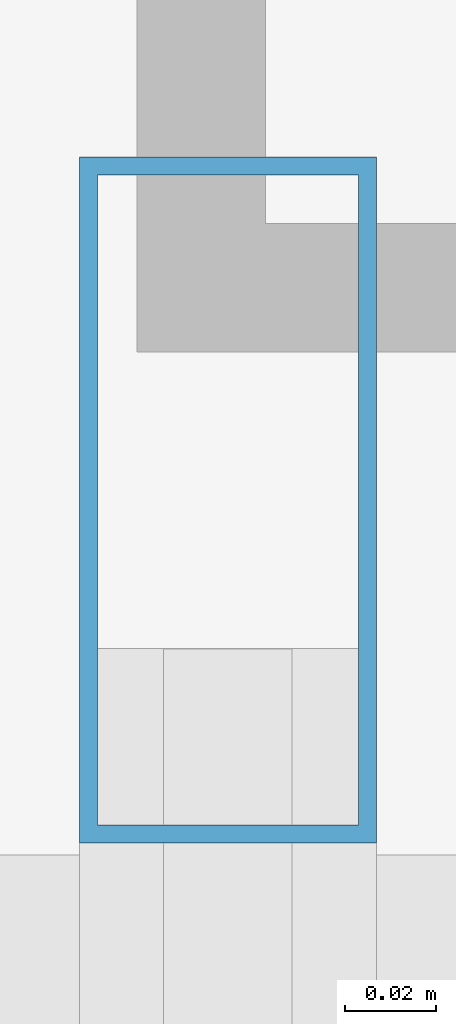
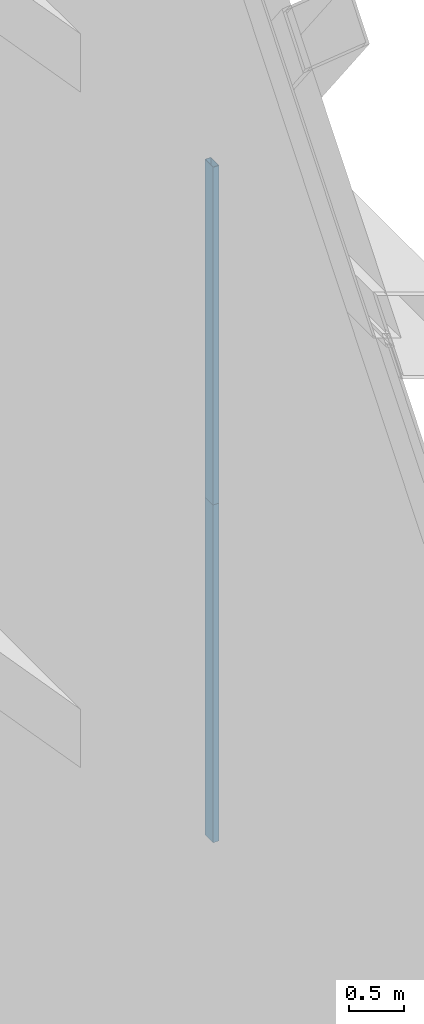
# One storey, part 21 of 28: 2 members, 2 elements without a shape of their own.
"""IFC4 building model written with IfcOpenShell, lengths in metres."""

import ifcopenshell
import ifcopenshell.guid

model = None  # the IFC model being written
_history = None  # IfcOwnerHistory: only IFC2X3 demands one
_inside = {}  # id of a spatial element -> (the spatial element, [elements in it])
_under = {}  # id of a project, library or spatial element -> (it, [spatial elements below it])
_declared = {}  # id of a project -> (the project, [libraries it declares])
_typed = {}  # id of a type object -> (the type object, [elements of that type])
_made_of = {}  # id of a material, layer set ... -> (it, [elements and type objects made of it])


def new_model(schema):
    """Start an empty IFC model of exactly this schema.

    Asked for "IFC4X3", IfcOpenShell would pick the latest addendum, in which some entities
    have other attributes; the version numbers below select the first issue.
    IFC2X3 requires an IfcOwnerHistory on every rooted entity: one is made here for all.
    """
    global model, _history
    if schema == "IFC4X3":
        model = ifcopenshell.file(schema_version=(4, 3, 0, 0))
    else:
        model = ifcopenshell.file(schema=schema)
    _inside.clear()
    _under.clear()
    _declared.clear()
    _typed.clear()
    _made_of.clear()
    _history = None
    if model.schema == "IFC2X3":
        org = make("IfcOrganization", Name="unknown")
        user = make(
            "IfcPersonAndOrganization",
            ThePerson=make("IfcPerson", FamilyName="unknown"),
            TheOrganization=org,
        )
        app = make(
            "IfcApplication",
            ApplicationDeveloper=org,
            Version="unknown",
            ApplicationFullName="unknown",
            ApplicationIdentifier="unknown",
        )
        _history = make(
            "IfcOwnerHistory",
            OwningUser=user,
            OwningApplication=app,
            ChangeAction="ADDED",
            CreationDate=0,
        )
    return model


def make(cls, **values):
    """One entity of the class cls with the attributes given. An attribute that is None is left unset."""
    return model.create_entity(
        cls, **{name: value for name, value in values.items() if value is not None}
    )


def rooted(cls, **values):
    """An entity with a GlobalId (a new one), such as an element, a storey or a relation."""
    return make(cls, GlobalId=ifcopenshell.guid.new(), OwnerHistory=_history, **values)


def si_unit(unit_type, name, prefix=None):
    """IfcSIUnit, for example si_unit("LENGTHUNIT", "METRE", prefix="MILLI")."""
    return make("IfcSIUnit", UnitType=unit_type, Prefix=prefix, Name=name)


def assignment(units):
    """IfcUnitAssignment: the units of a project."""
    return None if units is None else make("IfcUnitAssignment", Units=units)


def point(xyz):
    """IfcCartesianPoint."""
    return None if xyz is None else make("IfcCartesianPoint", Coordinates=xyz)


def direction(xyz):
    """IfcDirection."""
    return None if xyz is None else make("IfcDirection", DirectionRatios=xyz)


def frame(location, z_axis=None, x_axis=None):
    """IfcAxis2Placement3D, a coordinate frame: its origin and axes. An axis left out is left unset."""
    return make(
        "IfcAxis2Placement3D",
        Location=point(location),
        Axis=direction(z_axis),
        RefDirection=direction(x_axis),
    )


def frame_2d(location, x_axis=None):
    """IfcAxis2Placement2D, a coordinate frame in the plane: its origin and x axis."""
    return make(
        "IfcAxis2Placement2D", Location=point(location), RefDirection=direction(x_axis)
    )


def origin():
    """The frame at (0, 0, 0) with its axes left unset."""
    return frame((0.0, 0.0, 0.0))


def origin_2d():
    """The frame at (0, 0) in the plane with its x axis left unset."""
    return frame_2d((0.0, 0.0))


def place(relative_to, where):
    """IfcLocalPlacement: puts the frame where relative to a parent placement (None: the world)."""
    return make(
        "IfcLocalPlacement", PlacementRelTo=relative_to, RelativePlacement=where
    )


def context(
    kind, dimensions, precision=None, world=None, true_north=None, identifier=None
):
    """IfcGeometricRepresentationContext, for example the 3D "Model" context."""
    return make(
        "IfcGeometricRepresentationContext",
        ContextIdentifier=identifier,
        ContextType=kind,
        CoordinateSpaceDimension=dimensions,
        Precision=precision,
        WorldCoordinateSystem=world,
        TrueNorth=true_north,
    )


def subcontext(parent, identifier, kind, view, scale=None):
    """IfcGeometricRepresentationSubContext, for example "Body" below "Model"."""
    return make(
        "IfcGeometricRepresentationSubContext",
        ContextIdentifier=identifier,
        ContextType=kind,
        ParentContext=parent,
        TargetScale=scale,
        TargetView=view,
    )


def project(units=None, contexts=None):
    """IfcProject with its units and contexts."""
    return rooted(
        "IfcProject",
        Name="project",
        RepresentationContexts=contexts,
        UnitsInContext=assignment(units),
    )


def spatial(cls, under=None, at=None, **own):
    """A site, building, storey or space (cls), placed at a placement, below another one or the project."""
    s = rooted(cls, ObjectPlacement=at, **own)
    if under is not None:
        _under.setdefault(under.id(), (under, []))[1].append(s)
    return s


def profile(cls, at=None, kind="AREA", **sizes):
    """A parametric profile (cls). Its sizes go by their IFC names, for example OverallWidth=200.0."""
    return make(cls, ProfileType=kind, Position=at, **sizes)


def hollow_rectangle(**sizes):
    """IfcRectangleHollowProfileDef."""
    return profile("IfcRectangleHollowProfileDef", **sizes)


def extrude(swept, where, along, depth):
    """IfcExtrudedAreaSolid: the profile swept, set in the frame where, extruded along a direction by depth."""
    return make(
        "IfcExtrudedAreaSolid",
        SweptArea=swept,
        Position=where,
        ExtrudedDirection=direction(along),
        Depth=depth,
    )


def shape(context_of_items, identifier, shape_type, items):
    """IfcShapeRepresentation: the items that make up one representation, for example the "Body"."""
    return make(
        "IfcShapeRepresentation",
        ContextOfItems=context_of_items,
        RepresentationIdentifier=identifier,
        RepresentationType=shape_type,
        Items=items,
    )


def material(Name=None, Category=None):
    """IfcMaterial."""
    return make("IfcMaterial", Name=Name, Category=Category)


def material_profile(
    of_material, cross_section, Name=None, Category=None, Priority=None
):
    """IfcMaterialProfile: a cross section and its material."""
    return make(
        "IfcMaterialProfile",
        Name=Name,
        Material=of_material,
        Profile=cross_section,
        Priority=Priority,
        Category=Category,
    )


def profile_set(profiles, Name=None, composite=None):
    """IfcMaterialProfileSet."""
    return make(
        "IfcMaterialProfileSet",
        Name=Name,
        MaterialProfiles=profiles,
        CompositeProfile=composite,
    )


def made_of(thing, what):
    """Note that an element or type object is made of a material, layer set ...; save() writes the relation."""
    if what is not None:
        _made_of.setdefault(what.id(), (what, []))[1].append(thing)
    return thing


def type_object(cls, material=None, **own):
    """A type object (cls), such as IfcWallType, which elements share."""
    return made_of(rooted(cls, **own), material)


def element(
    cls,
    number,
    at=None,
    inside=None,
    cuts=None,
    type_object=None,
    material=None,
    context=None,
    identifier="Body",
    shape_type=None,
    held_by="IfcProductDefinitionShape",
    body=None,
    shapes=None,
    **own,
):
    """One element of the class cls, such as IfcWall. Its Tag is "e" and its number.

    at: its placement. inside: the storey or other place that contains it. cuts: it is an
    opening in that element (IfcRelVoidsElement). A single representation is given by context,
    identifier, shape_type and body (its items); several are given by shapes. held_by: the class
    of the entity that holds the representations. save() writes the other relations.
    """
    e = rooted(cls, Tag="e%d" % number, ObjectPlacement=at, **own)
    if body is not None:
        shapes = [shape(context, identifier, shape_type, body)]
    if shapes is not None:
        e.Representation = make(held_by, Representations=shapes)
    if inside is not None:
        _inside.setdefault(inside.id(), (inside, []))[1].append(e)
    if cuts is not None:
        rooted(
            "IfcRelVoidsElement", RelatingBuildingElement=cuts, RelatedOpeningElement=e
        )
    if type_object is not None:
        _typed.setdefault(type_object.id(), (type_object, []))[1].append(e)
    return made_of(e, material)


def aggregate(whole, parts):
    """IfcRelAggregates: a whole, such as a stair, and the parts it consists of."""
    return rooted("IfcRelAggregates", RelatingObject=whole, RelatedObjects=parts)


def save(model, path):
    """Write the relations noted so far, then the file.

    IfcRelAggregates (storeys below a building ...), IfcRelContainedInSpatialStructure (elements
    in a storey), IfcRelDefinesByType, IfcRelAssociatesMaterial and IfcRelDeclares: one each for
    every whole, place, type object, material and project.
    """
    for whole, parts in _under.values():
        aggregate(whole, parts)
    for where, things in _inside.values():
        rooted(
            "IfcRelContainedInSpatialStructure",
            RelatedElements=things,
            RelatingStructure=where,
        )
    for kind, things in _typed.values():
        rooted("IfcRelDefinesByType", RelatedObjects=things, RelatingType=kind)
    for what, things in _made_of.values():
        rooted("IfcRelAssociatesMaterial", RelatedObjects=things, RelatingMaterial=what)
    for by, libraries in _declared.values():
        rooted("IfcRelDeclares", RelatingContext=by, RelatedDefinitions=libraries)
    model.write(path)


model = new_model("IFC4")

# Units and contexts
model_context = context("Model", 3, precision=1e-05, world=origin(), true_north=direction((0.0, 1.0)))
body_context = subcontext(model_context, "Body", "Model", "MODEL_VIEW")
ifc_project = project(units=[si_unit("LENGTHUNIT", "METRE"), si_unit("AREAUNIT", "SQUARE_METRE"), si_unit("VOLUMEUNIT", "CUBIC_METRE"), si_unit("PLANEANGLEUNIT", "RADIAN"), si_unit("MASSUNIT", "GRAM", prefix="KILO")], contexts=[model_context])

# Site, building, storey
site_placement = place(None, origin())
site = spatial("IfcSite", under=ifc_project, at=site_placement, CompositionType="ELEMENT")
building_placement = place(site_placement, origin())
building = spatial("IfcBuilding", under=site, at=building_placement, Name="Tashvorn Skyway Center", CompositionType="ELEMENT")
storey_placement = place(building_placement, frame((0.0, 0.0, 277.60009765625)))
storey = spatial("IfcBuildingStorey", under=building, at=storey_placement, Name="Roof Level", CompositionType="ELEMENT", Elevation=277.60009765625)

# Curtain wall, member
ifc_material = material(Name="Thermally broken bronze-anodized aluminium 6063-T6", Category="aluminium")
curtain_wall_type = type_object("IfcCurtainWallType", Name="CW-CW-SKY", PredefinedType="NOTDEFINED", material=ifc_material)
curtain_wall_1_placement = place(storey_placement, origin())
curtain_wall_1 = element("IfcCurtainWall", 1, at=curtain_wall_1_placement, inside=storey, type_object=curtain_wall_type, Name="CROWN Lantern Fritted Curtain Wall T1 E-3", PredefinedType="NOTDEFINED")
ifc_material_profile = material_profile(ifc_material, hollow_rectangle(XDim=0.06494140625, YDim=0.14990234375, WallThickness=0.00390625, at=origin_2d()), Name="ALU-MULL-65x150")
ifc_profile_set = profile_set([ifc_material_profile], Name="Thermally broken bronze-anodized aluminium 6063-T6")
member_type = type_object("IfcMemberType", Name="CWM-CW-SKY", PredefinedType="MULLION", material=ifc_profile_set)
member_1_placement = place(storey_placement, frame((56.219970703125, 37.017578125, 7.52978515625), z_axis=(0.0, 0.0, 1.0), x_axis=(1.0, 0.0, 0.0)))
member_1 = element("IfcMember", 2, at=member_1_placement, type_object=member_type, Name="CW-SKY mullion 1", PredefinedType="MULLION", context=body_context, shape_type="SweptSolid", body=[
    extrude(hollow_rectangle(XDim=0.06494140625, YDim=0.14990234375, WallThickness=0.00390625, at=origin_2d()), origin(), (0.0, 0.0, 1.0), 3.76513671875),
])
aggregate(curtain_wall_1, [member_1])

curtain_wall_2_placement = place(storey_placement, origin())
curtain_wall_2 = element("IfcCurtainWall", 3, at=curtain_wall_2_placement, inside=storey, type_object=curtain_wall_type, Name="CROWN Lantern Fritted Curtain Wall T1 E-4", PredefinedType="NOTDEFINED")
member_2_placement = place(storey_placement, frame((56.219970703125, 37.017578125, 11.294921875), z_axis=(0.0, 0.0, 1.0), x_axis=(1.0, 0.0, 0.0)))
member_2 = element("IfcMember", 4, at=member_2_placement, type_object=member_type, Name="CW-SKY mullion 1", PredefinedType="MULLION", context=body_context, shape_type="SweptSolid", body=[
    extrude(hollow_rectangle(XDim=0.06494140625, YDim=0.14990234375, WallThickness=0.00390625, at=origin_2d()), origin(), (0.0, 0.0, 1.0), 3.764892578125),
])
aggregate(curtain_wall_2, [member_2])

save(model, "model.ifc")
